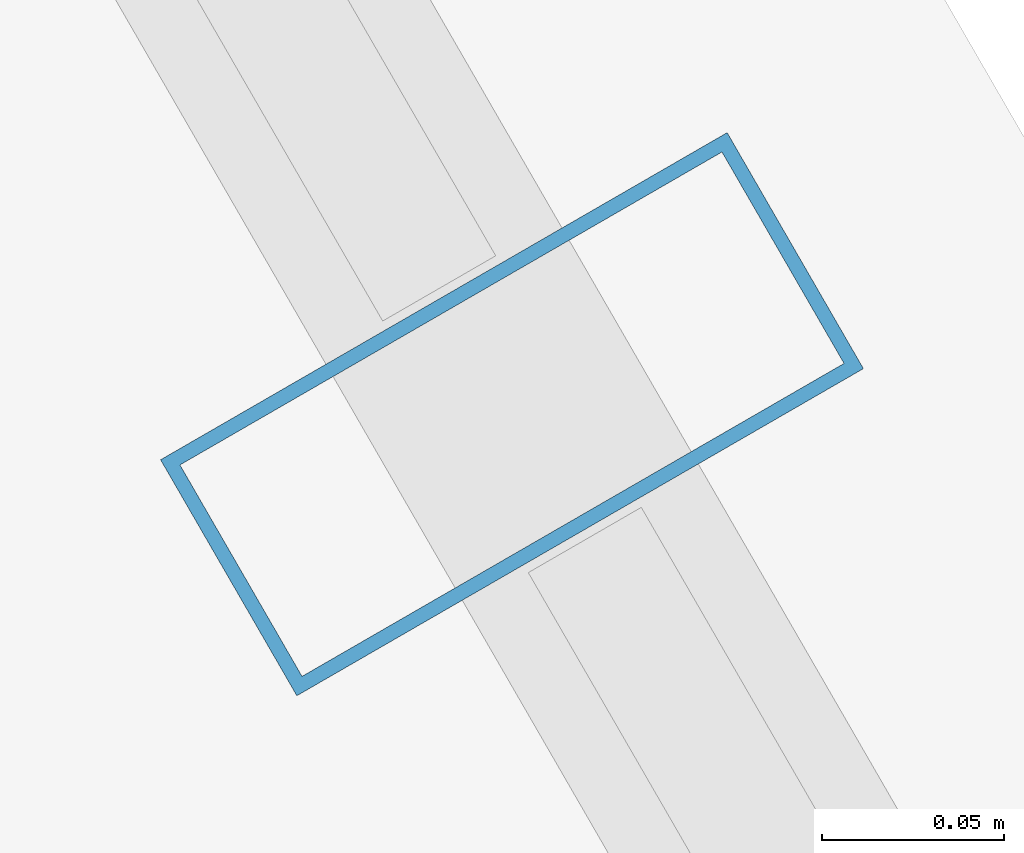
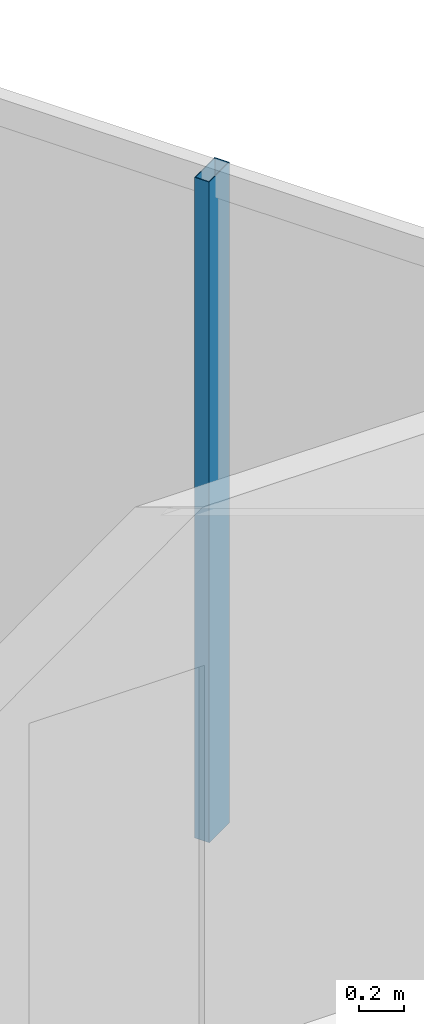
# One storey, part 15 of 29: 1 member, 1 element without a shape of its own.
"""IFC4 building model written with IfcOpenShell, lengths in metres."""

from ifc_helpers import new_model, si_unit, direction, frame, origin, origin_2d, place, context, subcontext, project, spatial, hollow_rectangle, extrude, material, layer, layer_set, material_profile, profile_set, type_object, element, aggregate, save


model = new_model("IFC4")

# Units and contexts
model_context = context("Model", 3, precision=1e-05, world=origin(), true_north=direction((0.0, 1.0)))
body_context = subcontext(model_context, "Body", "Model", "MODEL_VIEW")
ifc_project = project(units=[si_unit("LENGTHUNIT", "METRE"), si_unit("AREAUNIT", "SQUARE_METRE"), si_unit("VOLUMEUNIT", "CUBIC_METRE"), si_unit("PLANEANGLEUNIT", "RADIAN"), si_unit("MASSUNIT", "GRAM", prefix="KILO")], contexts=[model_context])

# Site, building, storey
site_placement = place(None, origin())
site = spatial("IfcSite", under=ifc_project, at=site_placement, CompositionType="ELEMENT")
building_placement = place(site_placement, origin())
building = spatial("IfcBuilding", under=site, at=building_placement, Name="Ndaravel Arena Tower", CompositionType="ELEMENT")
storey_placement = place(building_placement, frame((0.0, 0.0, 244.60009765625)))
storey = spatial("IfcBuildingStorey", under=building, at=storey_placement, Name="L59", CompositionType="ELEMENT", Elevation=244.60009765625)

# Curtain wall, member
ifc_material_1 = material(Name="Aluminium", Category="aluminium")
ifc_layer = layer(ifc_material_1, 0.179931640625)
ifc_layer_set = layer_set([ifc_layer], Name="Aluminium")
curtain_wall_type = type_object("IfcCurtainWallType", Name="CW-SYS-03", PredefinedType="NOTDEFINED", material=ifc_layer_set)
curtain_wall_placement = place(storey_placement, origin())
curtain_wall = element("IfcCurtainWall", 1, at=curtain_wall_placement, inside=storey, type_object=curtain_wall_type, Name="L59 Faceted Crystal Curtain Wall CW-L59-E03", PredefinedType="NOTDEFINED")
ifc_material_2 = material(Name="Aluminium", Category="aluminium")
ifc_material_profile = material_profile(ifc_material_2, hollow_rectangle(XDim=0.074951171875, YDim=0.179931640625, WallThickness=0.00390625, at=origin_2d()), Name="CW MULLION 75x180x4")
ifc_profile_set = profile_set([ifc_material_profile], Name="Aluminium")
member_type = type_object("IfcMemberType", Name="MEM-CW-MUL180", PredefinedType="MULLION", material=ifc_profile_set)
member_placement = place(storey_placement, frame((60.61962890625, 18.46142578125, 0.0), z_axis=(0.0, 0.0, 1.0), x_axis=(-0.5, 0.866025403784, 0.0)))
member = element("IfcMember", 2, at=member_placement, type_object=member_type, Name="CW-L59-E03 Mullion 02", PredefinedType="MULLION", context=body_context, shape_type="SweptSolid", body=[
    extrude(hollow_rectangle(XDim=0.074951171875, YDim=0.179931640625, WallThickness=0.00390625, at=origin_2d()), origin(), (0.0, 0.0, 1.0), 3.579833984375),
])
aggregate(curtain_wall, [member])

save(model, "model.ifc")
